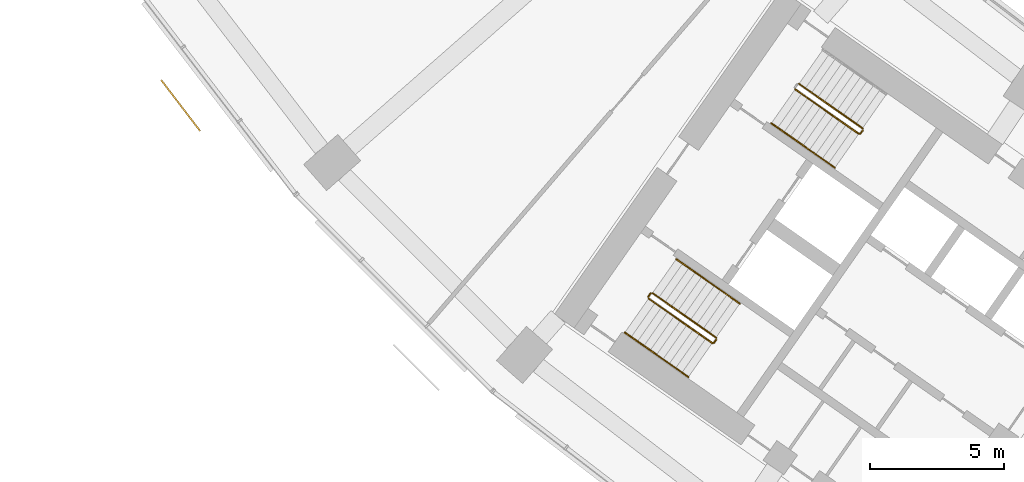
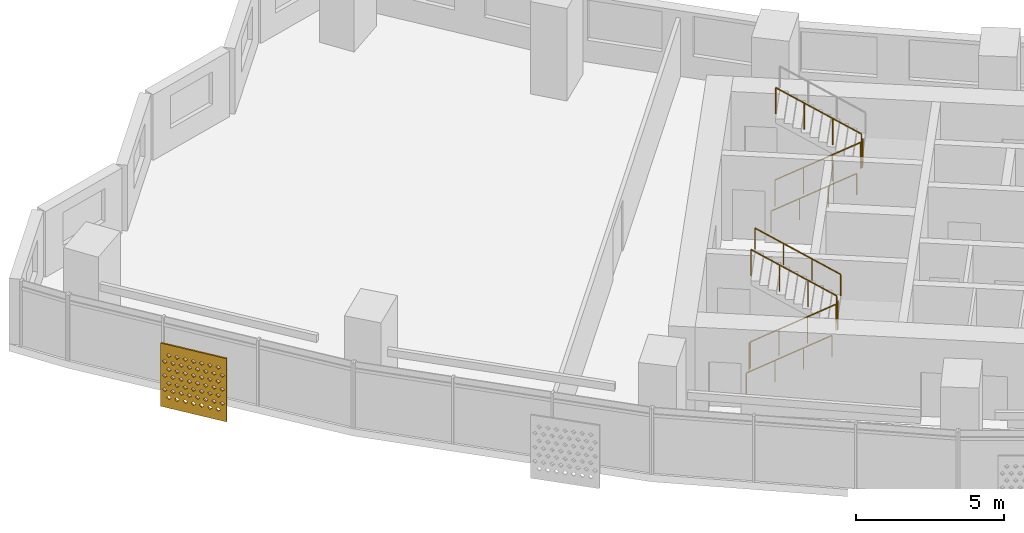
# One storey, part 25 of 31: 8 railings, 1 shading device.
"""IFC4 building model written with IfcOpenShell, lengths in metres."""

from ifc_helpers import new_model, si_unit, direction, frame, origin, origin_2d, place, context, subcontext, project, spatial, polyline, circle, outline, extrude, material, material_profile, profile_set, type_object, element, save


model = new_model("IFC4")

# Units and contexts
model_context = context("Model", 3, precision=1e-05, world=origin(), true_north=direction((0.0, 1.0)))
body_context = subcontext(model_context, "Body", "Model", "MODEL_VIEW")
ifc_project = project(units=[si_unit("LENGTHUNIT", "METRE"), si_unit("AREAUNIT", "SQUARE_METRE"), si_unit("VOLUMEUNIT", "CUBIC_METRE"), si_unit("PLANEANGLEUNIT", "RADIAN"), si_unit("MASSUNIT", "GRAM", prefix="KILO")], contexts=[model_context])

# Site, building, storey
site_placement = place(None, origin())
site = spatial("IfcSite", under=ifc_project, at=site_placement, CompositionType="ELEMENT")
building_placement = place(site_placement, origin())
building = spatial("IfcBuilding", under=site, at=building_placement, Name="Qamariyya Broadcast Tower", CompositionType="ELEMENT")
storey_placement = place(building_placement, frame((0.0, 0.0, 51.89990234375)))
storey = spatial("IfcBuildingStorey", under=building, at=storey_placement, Name="L09", CompositionType="ELEMENT", Elevation=51.89990234375)

# Shading device
ifc_material_1 = material(Name="Perforated glazed terracotta", Category="masonry")
ifc_material_profile = material_profile(ifc_material_1, outline(polyline([(-1.199951171875, -1.300048828125), (1.199951171875, -1.300048828125), (1.199951171875, 1.300048828125), (-1.199951171875, 1.300048828125), (-1.199951171875, -1.300048828125)]), holes=[polyline([(-0.81494140625, -0.86669921875), (-0.89990234375, -0.78173828125), (-0.985107421875, -0.86669921875), (-0.89990234375, -0.95166015625), (-0.81494140625, -0.86669921875)]), polyline([(-0.514892578125, -0.86669921875), (-0.60009765625, -0.78173828125), (-0.68505859375, -0.86669921875), (-0.60009765625, -0.95166015625), (-0.514892578125, -0.86669921875)]), polyline([(-0.215087890625, -0.86669921875), (-0.300048828125, -0.78173828125), (-0.385009765625, -0.86669921875), (-0.300048828125, -0.95166015625), (-0.215087890625, -0.86669921875)]), polyline([(0.0849609375, -0.86669921875), (0.0, -0.78173828125), (-0.0849609375, -0.86669921875), (0.0, -0.95166015625), (0.0849609375, -0.86669921875)]), polyline([(0.385009765625, -0.86669921875), (0.300048828125, -0.78173828125), (0.215087890625, -0.86669921875), (0.300048828125, -0.95166015625), (0.385009765625, -0.86669921875)]), polyline([(0.68505859375, -0.86669921875), (0.60009765625, -0.78173828125), (0.514892578125, -0.86669921875), (0.60009765625, -0.95166015625), (0.68505859375, -0.86669921875)]), polyline([(0.985107421875, -0.86669921875), (0.89990234375, -0.78173828125), (0.81494140625, -0.86669921875), (0.89990234375, -0.95166015625), (0.985107421875, -0.86669921875)]), polyline([(-0.965087890625, -0.577880859375), (-1.050048828125, -0.49267578125), (-1.135009765625, -0.577880859375), (-1.050048828125, -0.662841796875), (-0.965087890625, -0.577880859375)]), polyline([(-0.6650390625, -0.577880859375), (-0.75, -0.49267578125), (-0.8349609375, -0.577880859375), (-0.75, -0.662841796875), (-0.6650390625, -0.577880859375)]), polyline([(-0.364990234375, -0.577880859375), (-0.449951171875, -0.49267578125), (-0.534912109375, -0.577880859375), (-0.449951171875, -0.662841796875), (-0.364990234375, -0.577880859375)]), polyline([(-0.06494140625, -0.577880859375), (-0.14990234375, -0.49267578125), (-0.235107421875, -0.577880859375), (-0.14990234375, -0.662841796875), (-0.06494140625, -0.577880859375)]), polyline([(0.235107421875, -0.577880859375), (0.14990234375, -0.49267578125), (0.06494140625, -0.577880859375), (0.14990234375, -0.662841796875), (0.235107421875, -0.577880859375)]), polyline([(0.534912109375, -0.577880859375), (0.449951171875, -0.49267578125), (0.364990234375, -0.577880859375), (0.449951171875, -0.662841796875), (0.534912109375, -0.577880859375)]), polyline([(0.8349609375, -0.577880859375), (0.75, -0.49267578125), (0.6650390625, -0.577880859375), (0.75, -0.662841796875), (0.8349609375, -0.577880859375)]), polyline([(1.135009765625, -0.577880859375), (1.050048828125, -0.49267578125), (0.965087890625, -0.577880859375), (1.050048828125, -0.662841796875), (1.135009765625, -0.577880859375)]), polyline([(-0.81494140625, -0.288818359375), (-0.89990234375, -0.203857421875), (-0.985107421875, -0.288818359375), (-0.89990234375, -0.373779296875), (-0.81494140625, -0.288818359375)]), polyline([(-0.514892578125, -0.288818359375), (-0.60009765625, -0.203857421875), (-0.68505859375, -0.288818359375), (-0.60009765625, -0.373779296875), (-0.514892578125, -0.288818359375)]), polyline([(-0.215087890625, -0.288818359375), (-0.300048828125, -0.203857421875), (-0.385009765625, -0.288818359375), (-0.300048828125, -0.373779296875), (-0.215087890625, -0.288818359375)]), polyline([(0.0849609375, -0.288818359375), (0.0, -0.203857421875), (-0.0849609375, -0.288818359375), (0.0, -0.373779296875), (0.0849609375, -0.288818359375)]), polyline([(0.385009765625, -0.288818359375), (0.300048828125, -0.203857421875), (0.215087890625, -0.288818359375), (0.300048828125, -0.373779296875), (0.385009765625, -0.288818359375)]), polyline([(0.68505859375, -0.288818359375), (0.60009765625, -0.203857421875), (0.514892578125, -0.288818359375), (0.60009765625, -0.373779296875), (0.68505859375, -0.288818359375)]), polyline([(0.985107421875, -0.288818359375), (0.89990234375, -0.203857421875), (0.81494140625, -0.288818359375), (0.89990234375, -0.373779296875), (0.985107421875, -0.288818359375)]), polyline([(-0.965087890625, 0.0), (-1.050048828125, 0.0849609375), (-1.135009765625, 0.0), (-1.050048828125, -0.0849609375), (-0.965087890625, 0.0)]), polyline([(-0.6650390625, 0.0), (-0.75, 0.0849609375), (-0.8349609375, 0.0), (-0.75, -0.0849609375), (-0.6650390625, 0.0)]), polyline([(-0.364990234375, 0.0), (-0.449951171875, 0.0849609375), (-0.534912109375, 0.0), (-0.449951171875, -0.0849609375), (-0.364990234375, 0.0)]), polyline([(-0.06494140625, 0.0), (-0.14990234375, 0.0849609375), (-0.235107421875, 0.0), (-0.14990234375, -0.0849609375), (-0.06494140625, 0.0)]), polyline([(0.235107421875, 0.0), (0.14990234375, 0.0849609375), (0.06494140625, 0.0), (0.14990234375, -0.0849609375), (0.235107421875, 0.0)]), polyline([(0.534912109375, 0.0), (0.449951171875, 0.0849609375), (0.364990234375, 0.0), (0.449951171875, -0.0849609375), (0.534912109375, 0.0)]), polyline([(0.8349609375, 0.0), (0.75, 0.0849609375), (0.6650390625, 0.0), (0.75, -0.0849609375), (0.8349609375, 0.0)]), polyline([(1.135009765625, 0.0), (1.050048828125, 0.0849609375), (0.965087890625, 0.0), (1.050048828125, -0.0849609375), (1.135009765625, 0.0)]), polyline([(-0.81494140625, 0.288818359375), (-0.89990234375, 0.373779296875), (-0.985107421875, 0.288818359375), (-0.89990234375, 0.203857421875), (-0.81494140625, 0.288818359375)]), polyline([(-0.514892578125, 0.288818359375), (-0.60009765625, 0.373779296875), (-0.68505859375, 0.288818359375), (-0.60009765625, 0.203857421875), (-0.514892578125, 0.288818359375)]), polyline([(-0.215087890625, 0.288818359375), (-0.300048828125, 0.373779296875), (-0.385009765625, 0.288818359375), (-0.300048828125, 0.203857421875), (-0.215087890625, 0.288818359375)]), polyline([(0.0849609375, 0.288818359375), (0.0, 0.373779296875), (-0.0849609375, 0.288818359375), (0.0, 0.203857421875), (0.0849609375, 0.288818359375)]), polyline([(0.385009765625, 0.288818359375), (0.300048828125, 0.373779296875), (0.215087890625, 0.288818359375), (0.300048828125, 0.203857421875), (0.385009765625, 0.288818359375)]), polyline([(0.68505859375, 0.288818359375), (0.60009765625, 0.373779296875), (0.514892578125, 0.288818359375), (0.60009765625, 0.203857421875), (0.68505859375, 0.288818359375)]), polyline([(0.985107421875, 0.288818359375), (0.89990234375, 0.373779296875), (0.81494140625, 0.288818359375), (0.89990234375, 0.203857421875), (0.985107421875, 0.288818359375)]), polyline([(-0.965087890625, 0.577880859375), (-1.050048828125, 0.662841796875), (-1.135009765625, 0.577880859375), (-1.050048828125, 0.49267578125), (-0.965087890625, 0.577880859375)]), polyline([(-0.6650390625, 0.577880859375), (-0.75, 0.662841796875), (-0.8349609375, 0.577880859375), (-0.75, 0.49267578125), (-0.6650390625, 0.577880859375)]), polyline([(-0.364990234375, 0.577880859375), (-0.449951171875, 0.662841796875), (-0.534912109375, 0.577880859375), (-0.449951171875, 0.49267578125), (-0.364990234375, 0.577880859375)]), polyline([(-0.06494140625, 0.577880859375), (-0.14990234375, 0.662841796875), (-0.235107421875, 0.577880859375), (-0.14990234375, 0.49267578125), (-0.06494140625, 0.577880859375)]), polyline([(0.235107421875, 0.577880859375), (0.14990234375, 0.662841796875), (0.06494140625, 0.577880859375), (0.14990234375, 0.49267578125), (0.235107421875, 0.577880859375)]), polyline([(0.534912109375, 0.577880859375), (0.449951171875, 0.662841796875), (0.364990234375, 0.577880859375), (0.449951171875, 0.49267578125), (0.534912109375, 0.577880859375)]), polyline([(0.8349609375, 0.577880859375), (0.75, 0.662841796875), (0.6650390625, 0.577880859375), (0.75, 0.49267578125), (0.8349609375, 0.577880859375)]), polyline([(1.135009765625, 0.577880859375), (1.050048828125, 0.662841796875), (0.965087890625, 0.577880859375), (1.050048828125, 0.49267578125), (1.135009765625, 0.577880859375)]), polyline([(-0.81494140625, 0.86669921875), (-0.89990234375, 0.95166015625), (-0.985107421875, 0.86669921875), (-0.89990234375, 0.78173828125), (-0.81494140625, 0.86669921875)]), polyline([(-0.514892578125, 0.86669921875), (-0.60009765625, 0.95166015625), (-0.68505859375, 0.86669921875), (-0.60009765625, 0.78173828125), (-0.514892578125, 0.86669921875)]), polyline([(-0.215087890625, 0.86669921875), (-0.300048828125, 0.95166015625), (-0.385009765625, 0.86669921875), (-0.300048828125, 0.78173828125), (-0.215087890625, 0.86669921875)]), polyline([(0.0849609375, 0.86669921875), (0.0, 0.95166015625), (-0.0849609375, 0.86669921875), (0.0, 0.78173828125), (0.0849609375, 0.86669921875)]), polyline([(0.385009765625, 0.86669921875), (0.300048828125, 0.95166015625), (0.215087890625, 0.86669921875), (0.300048828125, 0.78173828125), (0.385009765625, 0.86669921875)]), polyline([(0.68505859375, 0.86669921875), (0.60009765625, 0.95166015625), (0.514892578125, 0.86669921875), (0.60009765625, 0.78173828125), (0.68505859375, 0.86669921875)]), polyline([(0.985107421875, 0.86669921875), (0.89990234375, 0.95166015625), (0.81494140625, 0.86669921875), (0.89990234375, 0.78173828125), (0.985107421875, 0.86669921875)])]))
ifc_profile_set = profile_set([ifc_material_profile], Name="Perforated glazed terracotta")
shading_device_type = type_object("IfcShadingDeviceType", Name="Perforated terracotta screen 2400 x 2600", PredefinedType="USERDEFINED", material=ifc_profile_set)
shading_device_placement = place(storey_placement, frame((-64.0947265625, -49.11572265625, 1.35009765625), z_axis=(-0.794589096806, -0.607147566278, 0.0), x_axis=(0.607147566278, -0.794589096806, 0.0)))
element("IfcShadingDevice", 1, at=shading_device_placement, inside=storey, type_object=shading_device_type, Name="e-scr-L09-01-1", ObjectType="SCREEN", PredefinedType="USERDEFINED", context=body_context, shape_type="SweptSolid", body=[
    extrude(outline(polyline([(-1.199951171875, -1.300048828125), (1.199951171875, -1.300048828125), (1.199951171875, 1.300048828125), (-1.199951171875, 1.300048828125), (-1.199951171875, -1.300048828125)]), holes=[polyline([(-0.81494140625, -0.86669921875), (-0.89990234375, -0.78173828125), (-0.985107421875, -0.86669921875), (-0.89990234375, -0.95166015625), (-0.81494140625, -0.86669921875)]), polyline([(-0.514892578125, -0.86669921875), (-0.60009765625, -0.78173828125), (-0.68505859375, -0.86669921875), (-0.60009765625, -0.95166015625), (-0.514892578125, -0.86669921875)]), polyline([(-0.215087890625, -0.86669921875), (-0.300048828125, -0.78173828125), (-0.385009765625, -0.86669921875), (-0.300048828125, -0.95166015625), (-0.215087890625, -0.86669921875)]), polyline([(0.0849609375, -0.86669921875), (0.0, -0.78173828125), (-0.0849609375, -0.86669921875), (0.0, -0.95166015625), (0.0849609375, -0.86669921875)]), polyline([(0.385009765625, -0.86669921875), (0.300048828125, -0.78173828125), (0.215087890625, -0.86669921875), (0.300048828125, -0.95166015625), (0.385009765625, -0.86669921875)]), polyline([(0.68505859375, -0.86669921875), (0.60009765625, -0.78173828125), (0.514892578125, -0.86669921875), (0.60009765625, -0.95166015625), (0.68505859375, -0.86669921875)]), polyline([(0.985107421875, -0.86669921875), (0.89990234375, -0.78173828125), (0.81494140625, -0.86669921875), (0.89990234375, -0.95166015625), (0.985107421875, -0.86669921875)]), polyline([(-0.965087890625, -0.577880859375), (-1.050048828125, -0.49267578125), (-1.135009765625, -0.577880859375), (-1.050048828125, -0.662841796875), (-0.965087890625, -0.577880859375)]), polyline([(-0.6650390625, -0.577880859375), (-0.75, -0.49267578125), (-0.8349609375, -0.577880859375), (-0.75, -0.662841796875), (-0.6650390625, -0.577880859375)]), polyline([(-0.364990234375, -0.577880859375), (-0.449951171875, -0.49267578125), (-0.534912109375, -0.577880859375), (-0.449951171875, -0.662841796875), (-0.364990234375, -0.577880859375)]), polyline([(-0.06494140625, -0.577880859375), (-0.14990234375, -0.49267578125), (-0.235107421875, -0.577880859375), (-0.14990234375, -0.662841796875), (-0.06494140625, -0.577880859375)]), polyline([(0.235107421875, -0.577880859375), (0.14990234375, -0.49267578125), (0.06494140625, -0.577880859375), (0.14990234375, -0.662841796875), (0.235107421875, -0.577880859375)]), polyline([(0.534912109375, -0.577880859375), (0.449951171875, -0.49267578125), (0.364990234375, -0.577880859375), (0.449951171875, -0.662841796875), (0.534912109375, -0.577880859375)]), polyline([(0.8349609375, -0.577880859375), (0.75, -0.49267578125), (0.6650390625, -0.577880859375), (0.75, -0.662841796875), (0.8349609375, -0.577880859375)]), polyline([(1.135009765625, -0.577880859375), (1.050048828125, -0.49267578125), (0.965087890625, -0.577880859375), (1.050048828125, -0.662841796875), (1.135009765625, -0.577880859375)]), polyline([(-0.81494140625, -0.288818359375), (-0.89990234375, -0.203857421875), (-0.985107421875, -0.288818359375), (-0.89990234375, -0.373779296875), (-0.81494140625, -0.288818359375)]), polyline([(-0.514892578125, -0.288818359375), (-0.60009765625, -0.203857421875), (-0.68505859375, -0.288818359375), (-0.60009765625, -0.373779296875), (-0.514892578125, -0.288818359375)]), polyline([(-0.215087890625, -0.288818359375), (-0.300048828125, -0.203857421875), (-0.385009765625, -0.288818359375), (-0.300048828125, -0.373779296875), (-0.215087890625, -0.288818359375)]), polyline([(0.0849609375, -0.288818359375), (0.0, -0.203857421875), (-0.0849609375, -0.288818359375), (0.0, -0.373779296875), (0.0849609375, -0.288818359375)]), polyline([(0.385009765625, -0.288818359375), (0.300048828125, -0.203857421875), (0.215087890625, -0.288818359375), (0.300048828125, -0.373779296875), (0.385009765625, -0.288818359375)]), polyline([(0.68505859375, -0.288818359375), (0.60009765625, -0.203857421875), (0.514892578125, -0.288818359375), (0.60009765625, -0.373779296875), (0.68505859375, -0.288818359375)]), polyline([(0.985107421875, -0.288818359375), (0.89990234375, -0.203857421875), (0.81494140625, -0.288818359375), (0.89990234375, -0.373779296875), (0.985107421875, -0.288818359375)]), polyline([(-0.965087890625, 0.0), (-1.050048828125, 0.0849609375), (-1.135009765625, 0.0), (-1.050048828125, -0.0849609375), (-0.965087890625, 0.0)]), polyline([(-0.6650390625, 0.0), (-0.75, 0.0849609375), (-0.8349609375, 0.0), (-0.75, -0.0849609375), (-0.6650390625, 0.0)]), polyline([(-0.364990234375, 0.0), (-0.449951171875, 0.0849609375), (-0.534912109375, 0.0), (-0.449951171875, -0.0849609375), (-0.364990234375, 0.0)]), polyline([(-0.06494140625, 0.0), (-0.14990234375, 0.0849609375), (-0.235107421875, 0.0), (-0.14990234375, -0.0849609375), (-0.06494140625, 0.0)]), polyline([(0.235107421875, 0.0), (0.14990234375, 0.0849609375), (0.06494140625, 0.0), (0.14990234375, -0.0849609375), (0.235107421875, 0.0)]), polyline([(0.534912109375, 0.0), (0.449951171875, 0.0849609375), (0.364990234375, 0.0), (0.449951171875, -0.0849609375), (0.534912109375, 0.0)]), polyline([(0.8349609375, 0.0), (0.75, 0.0849609375), (0.6650390625, 0.0), (0.75, -0.0849609375), (0.8349609375, 0.0)]), polyline([(1.135009765625, 0.0), (1.050048828125, 0.0849609375), (0.965087890625, 0.0), (1.050048828125, -0.0849609375), (1.135009765625, 0.0)]), polyline([(-0.81494140625, 0.288818359375), (-0.89990234375, 0.373779296875), (-0.985107421875, 0.288818359375), (-0.89990234375, 0.203857421875), (-0.81494140625, 0.288818359375)]), polyline([(-0.514892578125, 0.288818359375), (-0.60009765625, 0.373779296875), (-0.68505859375, 0.288818359375), (-0.60009765625, 0.203857421875), (-0.514892578125, 0.288818359375)]), polyline([(-0.215087890625, 0.288818359375), (-0.300048828125, 0.373779296875), (-0.385009765625, 0.288818359375), (-0.300048828125, 0.203857421875), (-0.215087890625, 0.288818359375)]), polyline([(0.0849609375, 0.288818359375), (0.0, 0.373779296875), (-0.0849609375, 0.288818359375), (0.0, 0.203857421875), (0.0849609375, 0.288818359375)]), polyline([(0.385009765625, 0.288818359375), (0.300048828125, 0.373779296875), (0.215087890625, 0.288818359375), (0.300048828125, 0.203857421875), (0.385009765625, 0.288818359375)]), polyline([(0.68505859375, 0.288818359375), (0.60009765625, 0.373779296875), (0.514892578125, 0.288818359375), (0.60009765625, 0.203857421875), (0.68505859375, 0.288818359375)]), polyline([(0.985107421875, 0.288818359375), (0.89990234375, 0.373779296875), (0.81494140625, 0.288818359375), (0.89990234375, 0.203857421875), (0.985107421875, 0.288818359375)]), polyline([(-0.965087890625, 0.577880859375), (-1.050048828125, 0.662841796875), (-1.135009765625, 0.577880859375), (-1.050048828125, 0.49267578125), (-0.965087890625, 0.577880859375)]), polyline([(-0.6650390625, 0.577880859375), (-0.75, 0.662841796875), (-0.8349609375, 0.577880859375), (-0.75, 0.49267578125), (-0.6650390625, 0.577880859375)]), polyline([(-0.364990234375, 0.577880859375), (-0.449951171875, 0.662841796875), (-0.534912109375, 0.577880859375), (-0.449951171875, 0.49267578125), (-0.364990234375, 0.577880859375)]), polyline([(-0.06494140625, 0.577880859375), (-0.14990234375, 0.662841796875), (-0.235107421875, 0.577880859375), (-0.14990234375, 0.49267578125), (-0.06494140625, 0.577880859375)]), polyline([(0.235107421875, 0.577880859375), (0.14990234375, 0.662841796875), (0.06494140625, 0.577880859375), (0.14990234375, 0.49267578125), (0.235107421875, 0.577880859375)]), polyline([(0.534912109375, 0.577880859375), (0.449951171875, 0.662841796875), (0.364990234375, 0.577880859375), (0.449951171875, 0.49267578125), (0.534912109375, 0.577880859375)]), polyline([(0.8349609375, 0.577880859375), (0.75, 0.662841796875), (0.6650390625, 0.577880859375), (0.75, 0.49267578125), (0.8349609375, 0.577880859375)]), polyline([(1.135009765625, 0.577880859375), (1.050048828125, 0.662841796875), (0.965087890625, 0.577880859375), (1.050048828125, 0.49267578125), (1.135009765625, 0.577880859375)]), polyline([(-0.81494140625, 0.86669921875), (-0.89990234375, 0.95166015625), (-0.985107421875, 0.86669921875), (-0.89990234375, 0.78173828125), (-0.81494140625, 0.86669921875)]), polyline([(-0.514892578125, 0.86669921875), (-0.60009765625, 0.95166015625), (-0.68505859375, 0.86669921875), (-0.60009765625, 0.78173828125), (-0.514892578125, 0.86669921875)]), polyline([(-0.215087890625, 0.86669921875), (-0.300048828125, 0.95166015625), (-0.385009765625, 0.86669921875), (-0.300048828125, 0.78173828125), (-0.215087890625, 0.86669921875)]), polyline([(0.0849609375, 0.86669921875), (0.0, 0.95166015625), (-0.0849609375, 0.86669921875), (0.0, 0.78173828125), (0.0849609375, 0.86669921875)]), polyline([(0.385009765625, 0.86669921875), (0.300048828125, 0.95166015625), (0.215087890625, 0.86669921875), (0.300048828125, 0.78173828125), (0.385009765625, 0.86669921875)]), polyline([(0.68505859375, 0.86669921875), (0.60009765625, 0.95166015625), (0.514892578125, 0.86669921875), (0.60009765625, 0.78173828125), (0.68505859375, 0.86669921875)]), polyline([(0.985107421875, 0.86669921875), (0.89990234375, 0.95166015625), (0.81494140625, 0.86669921875), (0.89990234375, 0.78173828125), (0.985107421875, 0.86669921875)])]), origin(), (0.0, 0.0, 1.0), 0.059814453125),
])

# Railings
ifc_material_2 = material(Name="Painted steel", Category="steel")
railing_type_1 = type_object("IfcRailingType", Name="Stair guard", PredefinedType="GUARDRAIL", material=ifc_material_2)
railing_1_placement = place(storey_placement, frame((-41.146728515625, -48.52490234375, 0.1728515625)))
element("IfcRailing", 2, at=railing_1_placement, inside=storey, type_object=railing_type_1, Name="L09 ST-W2 stair guard 1", PredefinedType="GUARDRAIL", context=body_context, shape_type="SweptSolid", body=[
    extrude(circle(Radius=0.02392578125, at=origin_2d()), frame((0.0, 0.0, 1.076171875), z_axis=(0.703770094002, -0.492783725636, 0.511734163933), x_axis=(0.573575343427, 0.819152809562, 0.0)), (0.0, 0.0, 1.0), 3.37548828125),
    extrude(circle(Radius=0.02392578125, at=origin_2d()), frame((2.37548828125, -1.663330078125, 2.80322265625), z_axis=(0.985059694769, 0.172213233351, 0.0), x_axis=(-0.172213233351, 0.985059694769, 0.0)), (0.0, 0.0, 1.0), 0.07080078125),
    extrude(circle(Radius=0.02392578125, at=origin_2d()), frame((2.4453125, -1.651123046875, 2.80322265625), z_axis=(0.572588637393, 0.819842821722, 0.0), x_axis=(-0.819842821722, 0.572588637393, 0.0)), (0.0, 0.0, 1.0), 0.150146484375),
    extrude(circle(Radius=0.02099609375, at=origin_2d()), origin(), (0.0, 0.0, 1.0), 1.052001953125),
    extrude(circle(Radius=0.02099609375, at=origin_2d()), frame((0.791748046875, -0.554443359375, 0.57568359375)), (0.0, 0.0, 1.0), 1.052001953125),
    extrude(circle(Radius=0.02099609375, at=origin_2d()), frame((1.583740234375, -1.10888671875, 1.151611328125)), (0.0, 0.0, 1.0), 1.052001953125),
    extrude(circle(Radius=0.02099609375, at=origin_2d()), frame((2.37548828125, -1.663330078125, 1.727294921875)), (0.0, 0.0, 1.0), 1.052001953125),
    extrude(circle(Radius=0.02099609375, at=origin_2d()), frame((2.4453125, -1.651123046875, 1.727294921875)), (0.0, 0.0, 1.0), 1.052001953125),
    extrude(circle(Radius=0.02099609375, at=origin_2d()), frame((2.53125, -1.528076171875, 1.727294921875)), (0.0, 0.0, 1.0), 1.052001953125),
])
railing_2_placement = place(storey_placement, frame((-38.627685546875, -49.9833984375, 2.07275390625)))
element("IfcRailing", 3, at=railing_2_placement, inside=storey, type_object=railing_type_1, Name="L09 ST-W2 stair guard 2", PredefinedType="GUARDRAIL", context=body_context, shape_type="SweptSolid", body=[
    extrude(circle(Radius=0.02392578125, at=origin_2d()), frame((0.0, 0.0, 1.076171875), z_axis=(-0.703770094002, 0.492783725636, 0.511734163933), x_axis=(-0.573575343427, -0.819152809562, 0.0)), (0.0, 0.0, 1.0), 3.37548828125),
    extrude(circle(Radius=0.02099609375, at=origin_2d()), origin(), (0.0, 0.0, 1.0), 1.052001953125),
    extrude(circle(Radius=0.02099609375, at=origin_2d()), frame((-0.791748046875, 0.554443359375, 0.57568359375)), (0.0, 0.0, 1.0), 1.052001953125),
    extrude(circle(Radius=0.02099609375, at=origin_2d()), frame((-1.583740234375, 1.10888671875, 1.151611328125)), (0.0, 0.0, 1.0), 1.052001953125),
    extrude(circle(Radius=0.02099609375, at=origin_2d()), frame((-2.37548828125, 1.663330078125, 1.727294921875)), (0.0, 0.0, 1.0), 1.052001953125),
])
railing_3_placement = place(storey_placement, frame((-46.624267578125, -56.34765625, 0.1728515625)))
element("IfcRailing", 4, at=railing_3_placement, inside=storey, type_object=railing_type_1, Name="L09 ST-W1 stair guard 1", PredefinedType="GUARDRAIL", context=body_context, shape_type="SweptSolid", body=[
    extrude(circle(Radius=0.02392578125, at=origin_2d()), frame((0.0, 0.0, 1.076171875), z_axis=(0.703745009021, -0.492838488332, 0.511715923826), x_axis=(0.573631830683, 0.819113253969, 0.0)), (0.0, 0.0, 1.0), 3.37548828125),
    extrude(circle(Radius=0.02392578125, at=origin_2d()), frame((2.37548828125, -1.66357421875, 2.80322265625), z_axis=(0.984363469884, 0.176149252506, 0.0), x_axis=(-0.176149252506, 0.984363469884, 0.0)), (0.0, 0.0, 1.0), 0.07080078125),
    extrude(circle(Radius=0.02392578125, at=origin_2d()), frame((2.445068359375, -1.651123046875, 2.80322265625), z_axis=(0.574444878118, 0.818543268254, 0.0), x_axis=(-0.818543268254, 0.574444878118, 0.0)), (0.0, 0.0, 1.0), 0.150146484375),
    extrude(circle(Radius=0.02099609375, at=origin_2d()), origin(), (0.0, 0.0, 1.0), 1.052001953125),
    extrude(circle(Radius=0.02099609375, at=origin_2d()), frame((0.791748046875, -0.554443359375, 0.57568359375)), (0.0, 0.0, 1.0), 1.052001953125),
    extrude(circle(Radius=0.02099609375, at=origin_2d()), frame((1.583740234375, -1.109130859375, 1.151611328125)), (0.0, 0.0, 1.0), 1.052001953125),
    extrude(circle(Radius=0.02099609375, at=origin_2d()), frame((2.37548828125, -1.66357421875, 1.727294921875)), (0.0, 0.0, 1.0), 1.052001953125),
    extrude(circle(Radius=0.02099609375, at=origin_2d()), frame((2.445068359375, -1.651123046875, 1.727294921875)), (0.0, 0.0, 1.0), 1.052001953125),
    extrude(circle(Radius=0.02099609375, at=origin_2d()), frame((2.53125, -1.5283203125, 1.727294921875)), (0.0, 0.0, 1.0), 1.052001953125),
])
railing_4_placement = place(storey_placement, frame((-44.10546875, -57.806396484375, 2.07275390625)))
element("IfcRailing", 5, at=railing_4_placement, inside=storey, type_object=railing_type_1, Name="L09 ST-W1 stair guard 2", PredefinedType="GUARDRAIL", context=body_context, shape_type="SweptSolid", body=[
    extrude(circle(Radius=0.02392578125, at=origin_2d()), frame((0.0, 0.0, 1.076171875), z_axis=(-0.703770094002, 0.492783725636, 0.511734163933), x_axis=(-0.573575343427, -0.819152809562, 0.0)), (0.0, 0.0, 1.0), 3.37548828125),
    extrude(circle(Radius=0.02099609375, at=origin_2d()), origin(), (0.0, 0.0, 1.0), 1.052001953125),
    extrude(circle(Radius=0.02099609375, at=origin_2d()), frame((-0.791748046875, 0.554443359375, 0.57568359375)), (0.0, 0.0, 1.0), 1.052001953125),
    extrude(circle(Radius=0.02099609375, at=origin_2d()), frame((-1.583740234375, 1.10888671875, 1.151611328125)), (0.0, 0.0, 1.0), 1.052001953125),
    extrude(circle(Radius=0.02099609375, at=origin_2d()), frame((-2.37548828125, 1.663330078125, 1.727294921875)), (0.0, 0.0, 1.0), 1.052001953125),
])
railing_5_placement = place(storey_placement, frame((-46.63671875, -56.278076171875, 0.0)))
element("IfcRailing", 6, at=railing_5_placement, inside=storey, type_object=railing_type_1, Name="L09 ST-W1 stair guard 3", PredefinedType="GUARDRAIL", context=body_context, shape_type="SweptSolid", body=[
    extrude(circle(Radius=0.02392578125, at=origin_2d()), frame((0.0, 0.0, 1.076171875), z_axis=(0.574444878118, 0.818543268254, 0.0), x_axis=(-0.818543268254, 0.574444878118, 0.0)), (0.0, 0.0, 1.0), 0.150146484375),
    extrude(circle(Radius=0.02099609375, at=origin_2d()), origin(), (0.0, 0.0, 1.0), 1.052001953125),
    extrude(circle(Radius=0.02099609375, at=origin_2d()), frame((0.086181640625, 0.122802734375, 0.0)), (0.0, 0.0, 1.0), 1.052001953125),
])
ifc_material_3 = material(Name="Stainless steel", Category="steel")
railing_type_2 = type_object("IfcRailingType", Name="Stair handrail", PredefinedType="HANDRAIL", material=ifc_material_3)
railing_6_placement = place(storey_placement, frame((-42.03564453125, -49.79443359375, 0.1728515625)))
element("IfcRailing", 7, at=railing_6_placement, inside=storey, type_object=railing_type_2, Name="L09 ST-W2 stair handrail 1", PredefinedType="HANDRAIL", context=body_context, shape_type="SweptSolid", body=[
    extrude(circle(Radius=0.02392578125, at=origin_2d()), frame((0.0, 0.0, 0.8759765625), z_axis=(0.703745009021, -0.492838488332, 0.511715923826), x_axis=(0.573631830683, 0.819113253969, 0.0)), (0.0, 0.0, 1.0), 3.37548828125),
    extrude(circle(Radius=0.02099609375, at=origin_2d()), origin(), (0.0, 0.0, 1.0), 0.851806640625),
    extrude(circle(Radius=0.02099609375, at=origin_2d()), frame((0.791748046875, -0.554443359375, 0.57568359375)), (0.0, 0.0, 1.0), 0.851806640625),
    extrude(circle(Radius=0.02099609375, at=origin_2d()), frame((1.583740234375, -1.109130859375, 1.151611328125)), (0.0, 0.0, 1.0), 0.851806640625),
    extrude(circle(Radius=0.02099609375, at=origin_2d()), frame((2.37548828125, -1.66357421875, 1.727294921875)), (0.0, 0.0, 1.0), 0.851806640625),
])
railing_7_placement = place(storey_placement, frame((-47.513427734375, -57.617431640625, 0.1728515625)))
element("IfcRailing", 8, at=railing_7_placement, inside=storey, type_object=railing_type_2, Name="L09 ST-W1 stair handrail 1", PredefinedType="HANDRAIL", context=body_context, shape_type="SweptSolid", body=[
    extrude(circle(Radius=0.02392578125, at=origin_2d()), frame((0.0, 0.0, 0.8759765625), z_axis=(0.703770094002, -0.492783725636, 0.511734163933), x_axis=(0.573575343427, 0.819152809562, 0.0)), (0.0, 0.0, 1.0), 3.37548828125),
    extrude(circle(Radius=0.02099609375, at=origin_2d()), origin(), (0.0, 0.0, 1.0), 0.851806640625),
    extrude(circle(Radius=0.02099609375, at=origin_2d()), frame((0.791748046875, -0.554443359375, 0.57568359375)), (0.0, 0.0, 1.0), 0.851806640625),
    extrude(circle(Radius=0.02099609375, at=origin_2d()), frame((1.583740234375, -1.10888671875, 1.151611328125)), (0.0, 0.0, 1.0), 0.851806640625),
    extrude(circle(Radius=0.02099609375, at=origin_2d()), frame((2.37548828125, -1.663330078125, 1.727294921875)), (0.0, 0.0, 1.0), 0.851806640625),
])
railing_8_placement = place(storey_placement, frame((-43.21630859375, -56.53662109375, 2.07275390625)))
element("IfcRailing", 9, at=railing_8_placement, inside=storey, type_object=railing_type_2, Name="L09 ST-W1 stair handrail 2", PredefinedType="HANDRAIL", context=body_context, shape_type="SweptSolid", body=[
    extrude(circle(Radius=0.02392578125, at=origin_2d()), frame((0.0, 0.0, 0.8759765625), z_axis=(-0.703770094002, 0.492783725636, 0.511734163933), x_axis=(-0.573575343427, -0.819152809562, 0.0)), (0.0, 0.0, 1.0), 3.37548828125),
    extrude(circle(Radius=0.02099609375, at=origin_2d()), origin(), (0.0, 0.0, 1.0), 0.851806640625),
    extrude(circle(Radius=0.02099609375, at=origin_2d()), frame((-0.791748046875, 0.554443359375, 0.57568359375)), (0.0, 0.0, 1.0), 0.851806640625),
    extrude(circle(Radius=0.02099609375, at=origin_2d()), frame((-1.583740234375, 1.10888671875, 1.151611328125)), (0.0, 0.0, 1.0), 0.851806640625),
    extrude(circle(Radius=0.02099609375, at=origin_2d()), frame((-2.37548828125, 1.663330078125, 1.727294921875)), (0.0, 0.0, 1.0), 0.851806640625),
])

save(model, "model.ifc")
